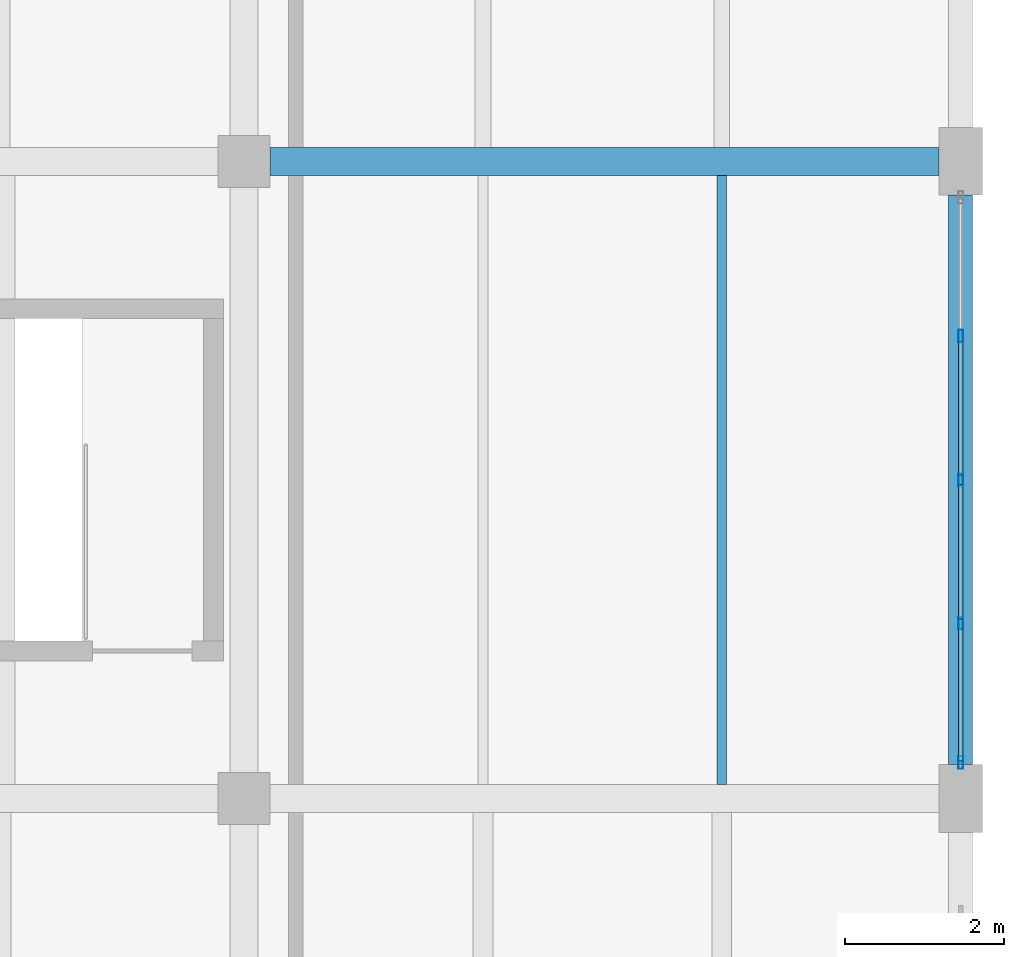
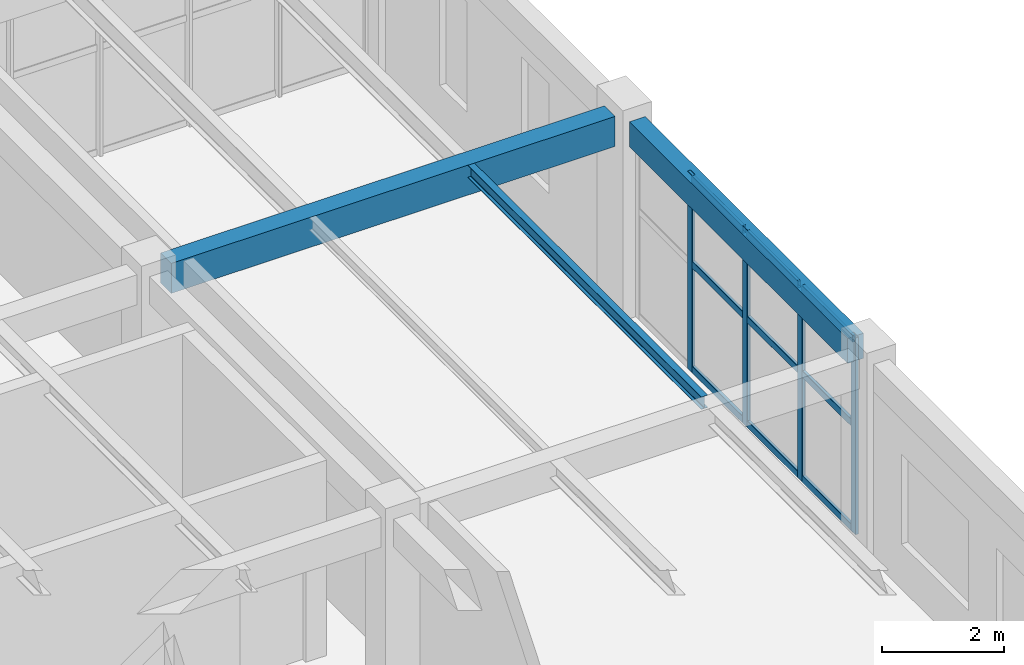
# One storey, part 47 of 71: 13 members, 3 beams, 1 element without a shape of its own.
"""IFC4 building model written with IfcOpenShell, lengths in metres."""

from ifc_helpers import new_model, si_unit, derived_unit, direction, frame, origin, origin_2d, place, context, subcontext, project, spatial, rectangle, hollow_rectangle, i_section, extrude, material, material_profile, profile_set, type_object, element, aggregate, save


model = new_model("IFC4")

# Units and contexts
model_context = context("Model", 3, precision=1e-05, world=origin(), true_north=direction((0.0, 1.0)))
body_context = subcontext(model_context, "Body", "Model", "MODEL_VIEW")
ifc_project = project(units=[si_unit("LENGTHUNIT", "METRE"), si_unit("AREAUNIT", "SQUARE_METRE"), si_unit("VOLUMEUNIT", "CUBIC_METRE"), si_unit("PLANEANGLEUNIT", "RADIAN"), si_unit("MASSUNIT", "GRAM", prefix="KILO"), derived_unit("THERMALTRANSMITTANCEUNIT", [(si_unit("MASSUNIT", "GRAM", prefix="KILO"), 1), (si_unit("TIMEUNIT", "SECOND"), -3), (si_unit("THERMODYNAMICTEMPERATUREUNIT", "KELVIN"), -1)])], contexts=[model_context])

# Site, building, storey
site_placement = place(None, origin())
site = spatial("IfcSite", under=ifc_project, at=site_placement, CompositionType="ELEMENT")
building_placement = place(site_placement, origin())
building = spatial("IfcBuilding", under=site, at=building_placement, Name="Zhenchuan Archway Interchange", CompositionType="ELEMENT")
storey_placement = place(building_placement, frame((0.0, 0.0, 18.60009765625)))
storey = spatial("IfcBuildingStorey", under=building, at=storey_placement, Name="L04", CompositionType="ELEMENT", Elevation=18.60009765625)

# Beam
ifc_material_1 = material(Name="Concrete C40", Category="concrete")
ifc_material_profile_1 = material_profile(ifc_material_1, rectangle(XDim=0.35009765625, YDim=0.60009765625, at=origin_2d()), Name="RC 350x600")
ifc_profile_set_1 = profile_set([ifc_material_profile_1], Name="Concrete C40")
beam_type_1 = type_object("IfcBeamType", Name="BM_RC_350x600", PredefinedType="BEAM", material=ifc_profile_set_1)
beam_1_placement = place(storey_placement, frame((162.324951171875, 96.0, 3.639892578125), z_axis=(1.0, 0.0, 0.0), x_axis=(0.0, 1.0, 0.0)))
element("IfcBeam", 1, at=beam_1_placement, inside=storey, type_object=beam_type_1, Name="Beam N:19-20 (L04)", PredefinedType="BEAM", context=body_context, shape_type="SweptSolid", body=[
    extrude(rectangle(XDim=0.35009765625, YDim=0.60009765625, at=origin_2d()), origin(), (0.0, 0.0, 1.0), 8.400146484375),
])

# Curtain wall, members
ifc_material_2 = material(Name="Anodised Aluminium", Category="aluminium")
curtain_wall_type = type_object("IfcCurtainWallType", Name="CW_UNIT_4", PredefinedType="NOTDEFINED", material=ifc_material_2)
curtain_wall_placement = place(storey_placement, origin())
curtain_wall = element("IfcCurtainWall", 2, at=curtain_wall_placement, inside=storey, type_object=curtain_wall_type, Name="Unitised curtain wall CW:L04:195", PredefinedType="NOTDEFINED")
ifc_material_profile_2 = material_profile(ifc_material_2, hollow_rectangle(XDim=0.06005859375, YDim=0.159912109375, WallThickness=0.00390625, InnerFilletRadius=0.00390625, OuterFilletRadius=0.008056640625, at=origin_2d()), Name="ALU 160x60x4")
ifc_profile_set_2 = profile_set([ifc_material_profile_2], Name="Anodised Aluminium")
member_type_1 = type_object("IfcMemberType", Name="CW_MUL_150", PredefinedType="MULLION", material=ifc_profile_set_2)
member_1_placement = place(storey_placement, frame((171.0, 93.803466796875, 0.0), z_axis=(0.0, 0.0, 1.0), x_axis=(1.0, 0.0, 0.0)))
member_1 = element("IfcMember", 3, at=member_1_placement, type_object=member_type_1, Name="CW:L04:195 mullion 1", PredefinedType="MULLION", context=body_context, shape_type="SweptSolid", body=[
    extrude(hollow_rectangle(XDim=0.06005859375, YDim=0.159912109375, WallThickness=0.00390625, InnerFilletRadius=0.00390625, OuterFilletRadius=0.008056640625, at=origin_2d()), origin(), (0.0, 0.0, 1.0), 3.93994140625),
])
member_2_placement = place(storey_placement, frame((171.0, 92.0, 0.0), z_axis=(0.0, 0.0, 1.0), x_axis=(1.0, 0.0, 0.0)))
member_2 = element("IfcMember", 4, at=member_2_placement, type_object=member_type_1, Name="CW:L04:195 mullion 2", PredefinedType="MULLION", context=body_context, shape_type="SweptSolid", body=[
    extrude(hollow_rectangle(XDim=0.06005859375, YDim=0.159912109375, WallThickness=0.00390625, InnerFilletRadius=0.00390625, OuterFilletRadius=0.008056640625, at=origin_2d()), origin(), (0.0, 0.0, 1.0), 3.93994140625),
])
member_3_placement = place(storey_placement, frame((171.0, 90.196533203125, 0.0), z_axis=(0.0, 0.0, 1.0), x_axis=(1.0, 0.0, 0.0)))
member_3 = element("IfcMember", 5, at=member_3_placement, type_object=member_type_1, Name="CW:L04:195 mullion 3", PredefinedType="MULLION", context=body_context, shape_type="SweptSolid", body=[
    extrude(hollow_rectangle(XDim=0.06005859375, YDim=0.159912109375, WallThickness=0.00390625, InnerFilletRadius=0.00390625, OuterFilletRadius=0.008056640625, at=origin_2d()), origin(), (0.0, 0.0, 1.0), 3.93994140625),
])
member_4_placement = place(storey_placement, frame((171.0, 88.452880859375, 0.0), z_axis=(0.0, 0.0, 1.0), x_axis=(1.0, 0.0, 0.0)))
member_4 = element("IfcMember", 6, at=member_4_placement, type_object=member_type_1, Name="CW:L04:195 mullion 4", PredefinedType="MULLION", context=body_context, shape_type="SweptSolid", body=[
    extrude(hollow_rectangle(XDim=0.06005859375, YDim=0.159912109375, WallThickness=0.00390625, InnerFilletRadius=0.00390625, OuterFilletRadius=0.008056640625, at=origin_2d()), origin(), (0.0, 0.0, 1.0), 3.93994140625),
])
ifc_material_profile_3 = material_profile(ifc_material_2, hollow_rectangle(XDim=0.06005859375, YDim=0.139892578125, WallThickness=0.00341796875, InnerFilletRadius=0.00341796875, OuterFilletRadius=0.007080078125, at=origin_2d()), Name="ALU 140x60x3.5")
ifc_profile_set_3 = profile_set([ifc_material_profile_3], Name="Anodised Aluminium")
member_type_2 = type_object("IfcMemberType", Name="CW_TRN_140", PredefinedType="USERDEFINED", material=ifc_profile_set_3)
member_5_placement = place(storey_placement, frame((171.0, 93.743408203125, 0.059814453125), z_axis=(0.0, -1.0, 0.0), x_axis=(1.0, 0.0, 0.0)))
member_5 = element("IfcMember", 7, at=member_5_placement, type_object=member_type_2, Name="CW:L04:195 transom 1-1", ObjectType="TRANSOM", PredefinedType="USERDEFINED", context=body_context, shape_type="SweptSolid", body=[
    extrude(hollow_rectangle(XDim=0.06005859375, YDim=0.139892578125, WallThickness=0.00341796875, InnerFilletRadius=0.00341796875, OuterFilletRadius=0.007080078125, at=origin_2d()), origin(), (0.0, 0.0, 1.0), 1.683349609375),
])
member_6_placement = place(storey_placement, frame((171.0, 93.743408203125, 2.156005859375), z_axis=(0.0, -1.0, 0.0), x_axis=(1.0, 0.0, 0.0)))
member_6 = element("IfcMember", 8, at=member_6_placement, type_object=member_type_2, Name="CW:L04:195 transom 1-2", ObjectType="TRANSOM", PredefinedType="USERDEFINED", context=body_context, shape_type="SweptSolid", body=[
    extrude(hollow_rectangle(XDim=0.06005859375, YDim=0.139892578125, WallThickness=0.00341796875, InnerFilletRadius=0.00341796875, OuterFilletRadius=0.007080078125, at=origin_2d()), origin(), (0.0, 0.0, 1.0), 1.683349609375),
])
member_7_placement = place(storey_placement, frame((171.0, 93.743408203125, 3.85986328125), z_axis=(0.0, -1.0, 0.0), x_axis=(1.0, 0.0, 0.0)))
member_7 = element("IfcMember", 9, at=member_7_placement, type_object=member_type_2, Name="CW:L04:195 transom 1-3", ObjectType="TRANSOM", PredefinedType="USERDEFINED", context=body_context, shape_type="SweptSolid", body=[
    extrude(hollow_rectangle(XDim=0.06005859375, YDim=0.139892578125, WallThickness=0.00341796875, InnerFilletRadius=0.00341796875, OuterFilletRadius=0.007080078125, at=origin_2d()), origin(), (0.0, 0.0, 1.0), 1.683349609375),
])
member_8_placement = place(storey_placement, frame((171.0, 91.93994140625, 0.059814453125), z_axis=(0.0, -1.0, 0.0), x_axis=(1.0, 0.0, 0.0)))
member_8 = element("IfcMember", 10, at=member_8_placement, type_object=member_type_2, Name="CW:L04:195 transom 2-1", ObjectType="TRANSOM", PredefinedType="USERDEFINED", context=body_context, shape_type="SweptSolid", body=[
    extrude(hollow_rectangle(XDim=0.06005859375, YDim=0.139892578125, WallThickness=0.00341796875, InnerFilletRadius=0.00341796875, OuterFilletRadius=0.007080078125, at=origin_2d()), origin(), (0.0, 0.0, 1.0), 1.683349609375),
])
member_9_placement = place(storey_placement, frame((171.0, 91.93994140625, 2.156005859375), z_axis=(0.0, -1.0, 0.0), x_axis=(1.0, 0.0, 0.0)))
member_9 = element("IfcMember", 11, at=member_9_placement, type_object=member_type_2, Name="CW:L04:195 transom 2-2", ObjectType="TRANSOM", PredefinedType="USERDEFINED", context=body_context, shape_type="SweptSolid", body=[
    extrude(hollow_rectangle(XDim=0.06005859375, YDim=0.139892578125, WallThickness=0.00341796875, InnerFilletRadius=0.00341796875, OuterFilletRadius=0.007080078125, at=origin_2d()), origin(), (0.0, 0.0, 1.0), 1.683349609375),
])
member_10_placement = place(storey_placement, frame((171.0, 91.93994140625, 3.85986328125), z_axis=(0.0, -1.0, 0.0), x_axis=(1.0, 0.0, 0.0)))
member_10 = element("IfcMember", 12, at=member_10_placement, type_object=member_type_2, Name="CW:L04:195 transom 2-3", ObjectType="TRANSOM", PredefinedType="USERDEFINED", context=body_context, shape_type="SweptSolid", body=[
    extrude(hollow_rectangle(XDim=0.06005859375, YDim=0.139892578125, WallThickness=0.00341796875, InnerFilletRadius=0.00341796875, OuterFilletRadius=0.007080078125, at=origin_2d()), origin(), (0.0, 0.0, 1.0), 1.683349609375),
])
member_11_placement = place(storey_placement, frame((171.0, 90.136474609375, 0.059814453125), z_axis=(0.0, -1.0, 0.0), x_axis=(1.0, 0.0, 0.0)))
member_11 = element("IfcMember", 13, at=member_11_placement, type_object=member_type_2, Name="CW:L04:195 transom 3-1", ObjectType="TRANSOM", PredefinedType="USERDEFINED", context=body_context, shape_type="SweptSolid", body=[
    extrude(hollow_rectangle(XDim=0.06005859375, YDim=0.139892578125, WallThickness=0.00341796875, InnerFilletRadius=0.00341796875, OuterFilletRadius=0.007080078125, at=origin_2d()), origin(), (0.0, 0.0, 1.0), 1.66357421875),
])
member_12_placement = place(storey_placement, frame((171.0, 90.136474609375, 2.156005859375), z_axis=(0.0, -1.0, 0.0), x_axis=(1.0, 0.0, 0.0)))
member_12 = element("IfcMember", 14, at=member_12_placement, type_object=member_type_2, Name="CW:L04:195 transom 3-2", ObjectType="TRANSOM", PredefinedType="USERDEFINED", context=body_context, shape_type="SweptSolid", body=[
    extrude(hollow_rectangle(XDim=0.06005859375, YDim=0.139892578125, WallThickness=0.00341796875, InnerFilletRadius=0.00341796875, OuterFilletRadius=0.007080078125, at=origin_2d()), origin(), (0.0, 0.0, 1.0), 1.66357421875),
])
member_13_placement = place(storey_placement, frame((171.0, 90.136474609375, 3.85986328125), z_axis=(0.0, -1.0, 0.0), x_axis=(1.0, 0.0, 0.0)))
member_13 = element("IfcMember", 15, at=member_13_placement, type_object=member_type_2, Name="CW:L04:195 transom 3-3", ObjectType="TRANSOM", PredefinedType="USERDEFINED", context=body_context, shape_type="SweptSolid", body=[
    extrude(hollow_rectangle(XDim=0.06005859375, YDim=0.139892578125, WallThickness=0.00341796875, InnerFilletRadius=0.00341796875, OuterFilletRadius=0.007080078125, at=origin_2d()), origin(), (0.0, 0.0, 1.0), 1.66357421875),
])
aggregate(curtain_wall, [member_1, member_2, member_3, member_4, member_5, member_6, member_7, member_8, member_9, member_10, member_11, member_12, member_13])

# Beams
ifc_material_3 = material(Name="Steel Q355", Category="steel")
ifc_material_profile_4 = material_profile(ifc_material_3, i_section(OverallWidth=0.125, OverallDepth=0.25, WebThickness=0.006103515625, FlangeThickness=0.009033203125, FilletRadius=0.011962890625, at=origin_2d()), Name="HN 250x125")
ifc_profile_set_4 = profile_set([ifc_material_profile_4], Name="Steel Q355")
beam_type_2 = type_object("IfcBeamType", Name="JST_STL_HN250", PredefinedType="JOIST", material=ifc_profile_set_4)
beam_2_placement = place(storey_placement, frame((168.0, 88.175048828125, 3.81494140625), z_axis=(0.0, 1.0, 0.0), x_axis=(-1.0, 0.0, 0.0)))
element("IfcBeam", 16, at=beam_2_placement, inside=storey, type_object=beam_type_2, Name="Secondary joist 19-20/M-N #2 (L04)", PredefinedType="JOIST", context=body_context, shape_type="SweptSolid", body=[
    extrude(i_section(OverallWidth=0.125, OverallDepth=0.25, WebThickness=0.006103515625, FlangeThickness=0.009033203125, FilletRadius=0.011962890625, at=origin_2d()), origin(), (0.0, 0.0, 1.0), 7.64990234375),
])
ifc_material_profile_5 = material_profile(ifc_material_1, rectangle(XDim=0.300048828125, YDim=0.5, at=origin_2d()), Name="RC 300x500")
ifc_profile_set_5 = profile_set([ifc_material_profile_5], Name="Concrete C40")
beam_type_3 = type_object("IfcBeamType", Name="SP_RC_300x500", PredefinedType="SPANDREL", material=ifc_profile_set_5)
beam_3_placement = place(storey_placement, frame((171.0, 88.425048828125, 3.68994140625), z_axis=(0.0, 1.0, 0.0), x_axis=(-1.0, 0.0, 0.0)))
element("IfcBeam", 17, at=beam_3_placement, inside=storey, type_object=beam_type_3, Name="Beam 20:M-N (L04)", PredefinedType="SPANDREL", context=body_context, shape_type="SweptSolid", body=[
    extrude(rectangle(XDim=0.300048828125, YDim=0.5, at=origin_2d()), origin(), (0.0, 0.0, 1.0), 7.14990234375),
])

save(model, "model.ifc")
